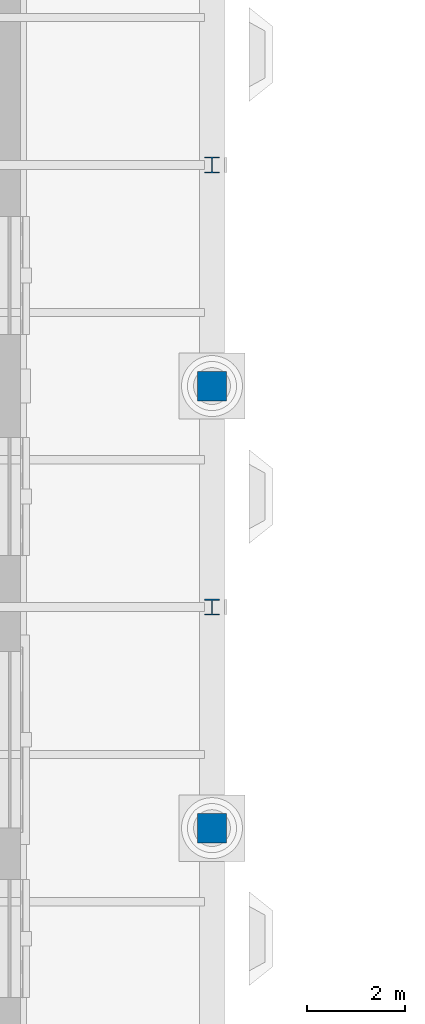
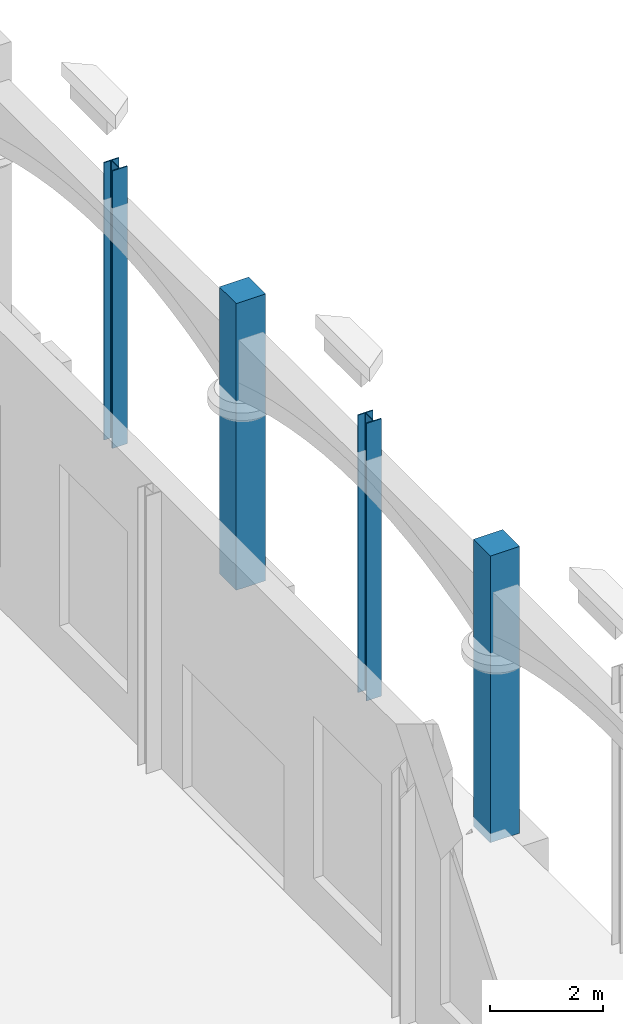
# One storey, part 14 of 106: 4 columns.
"""IFC4 building model written with IfcOpenShell, lengths in metres."""

from ifc_helpers import new_model, si_unit, direction, frame, origin, origin_2d, place, context, subcontext, project, spatial, rectangle, i_section, extrude, material, material_profile, profile_set, type_object, element, save


model = new_model("IFC4")

# Units and contexts
model_context = context("Model", 3, precision=1e-05, world=origin(), true_north=direction((0.0, 1.0)))
body_context = subcontext(model_context, "Body", "Model", "MODEL_VIEW")
ifc_project = project(units=[si_unit("LENGTHUNIT", "METRE"), si_unit("AREAUNIT", "SQUARE_METRE"), si_unit("VOLUMEUNIT", "CUBIC_METRE"), si_unit("PLANEANGLEUNIT", "RADIAN"), si_unit("MASSUNIT", "GRAM", prefix="KILO")], contexts=[model_context])

# Site, building, storey
site_placement = place(None, origin())
site = spatial("IfcSite", under=ifc_project, at=site_placement, CompositionType="ELEMENT")
building_placement = place(site_placement, origin())
building = spatial("IfcBuilding", under=site, at=building_placement, Name="Hortulan Conservatory and Botanical Research Centre", CompositionType="ELEMENT")
storey_placement = place(building_placement, origin())
storey = spatial("IfcBuildingStorey", under=building, at=storey_placement, Name="L00", CompositionType="ELEMENT", Elevation=0.0)

# Columns
ifc_material_1 = material(Name="Sandstone masonry (25 MPa, AS 3700)", Category="masonry")
ifc_material_profile_1 = material_profile(ifc_material_1, rectangle(XDim=0.60009765625, YDim=0.60009765625, at=origin_2d()), Name="Square pier 600")
ifc_profile_set_1 = profile_set([ifc_material_profile_1], Name="Sandstone masonry (25 MPa, AS 3700)")
column_type_1 = type_object("IfcColumnType", Name="Sandstone Arcade Pier 600x600", PredefinedType="COLUMN", material=ifc_profile_set_1)
for number, where, z_axis, x_axis, name in (
    (1, (31.5, 49.5, -0.199951171875), (0.0, 0.0, 1.0), (1.0, 0.0, 0.0), "Sandstone arcade pier P-31.5-49.5 L00"),
    (2, (31.5, 58.5, -0.199951171875), (0.0, 0.0, 1.0), (1.0, 0.0, 0.0), "Sandstone arcade pier P-31.5-58.5 L00"),
):
    element("IfcColumn", number, at=place(storey_placement, frame(where, z_axis=z_axis, x_axis=x_axis)), inside=storey, type_object=column_type_1, Name=name, PredefinedType="COLUMN", context=body_context, shape_type="SweptSolid", body=[
        extrude(rectangle(XDim=0.60009765625, YDim=0.60009765625, at=origin_2d()), origin(), (0.0, 0.0, 1.0), 6.199951171875),
    ])
ifc_material_2 = material(Name="Steel Grade 300PLUS (AS/NZS 3679.1, 280 MPa minimum yield)", Category="steel")
ifc_material_profile_2 = material_profile(ifc_material_2, i_section(OverallWidth=0.30908203125, OverallDepth=0.321044921875, WebThickness=0.013916015625, FlangeThickness=0.021728515625, FilletRadius=0.0166015625, at=origin_2d()), Name="310UC137")
ifc_profile_set_2 = profile_set([ifc_material_profile_2], Name="Steel Grade 300PLUS (AS/NZS 3679.1, 280 MPa minimum yield)")
column_type_2 = type_object("IfcColumnType", Name="Visitor Centre Column 310UC137", PredefinedType="COLUMN", material=ifc_profile_set_2)
for number, where, z_axis, x_axis, name in (
    (3, (31.5, 54.0, 0.0), (0.0, 0.0, 1.0), (1.0, 0.0, 0.0), "310UC137 column"),
    (4, (31.5, 63.0, 0.0), (0.0, 0.0, 1.0), (1.0, 0.0, 0.0), "310UC137 column"),
):
    element("IfcColumn", number, at=place(storey_placement, frame(where, z_axis=z_axis, x_axis=x_axis)), inside=storey, type_object=column_type_2, Name=name, PredefinedType="COLUMN", context=body_context, shape_type="SweptSolid", body=[
        extrude(i_section(OverallWidth=0.30908203125, OverallDepth=0.321044921875, WebThickness=0.013916015625, FlangeThickness=0.021728515625, FilletRadius=0.0166015625, at=origin_2d()), origin(), (0.0, 0.0, 1.0), 6.0),
    ])

save(model, "model.ifc")
